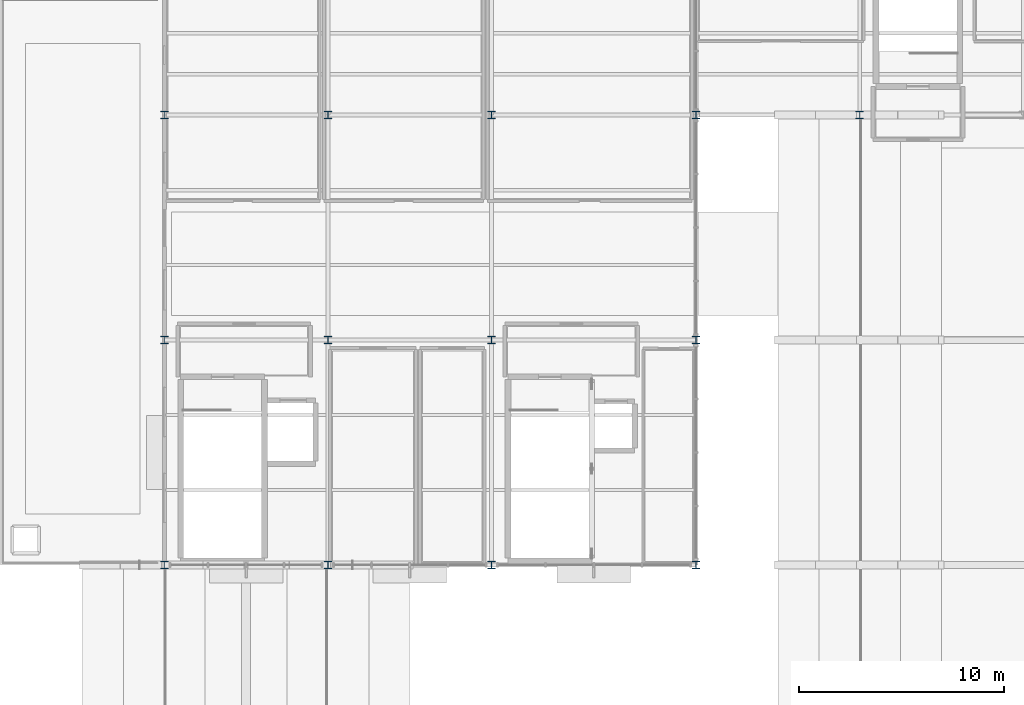
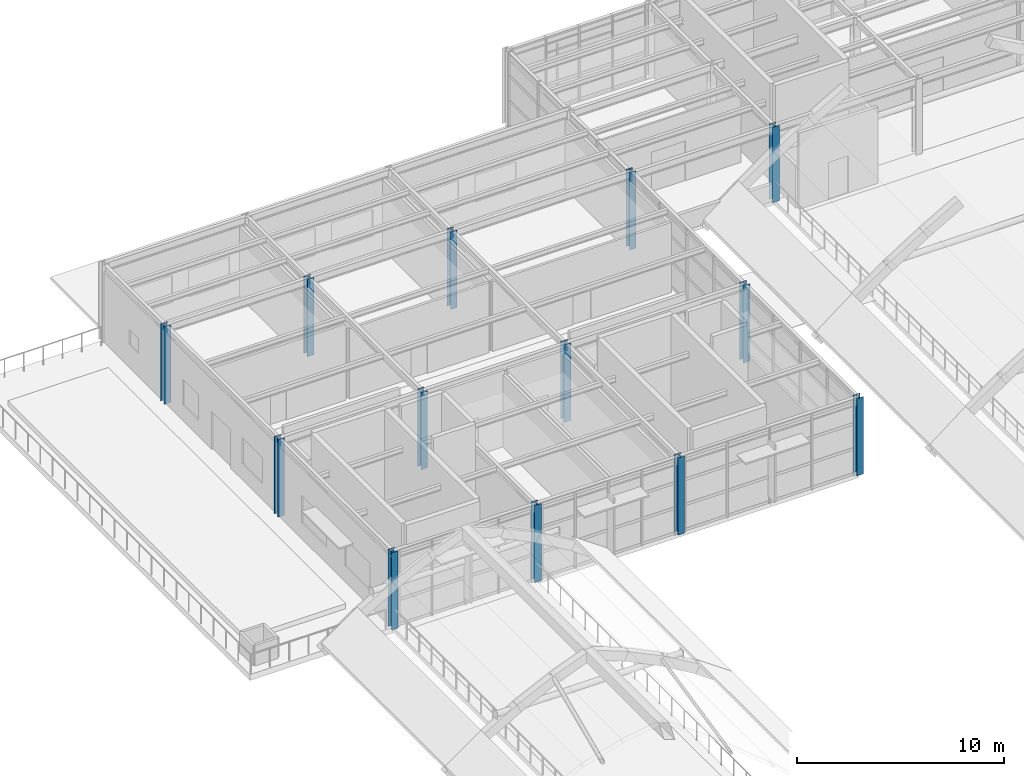
# One storey, part 5 of 82: 13 columns.
"""IFC4 building model written with IfcOpenShell, lengths in metres."""

from ifc_helpers import new_model, si_unit, direction, frame, origin, origin_2d, place, context, subcontext, project, spatial, i_section, extrude, material, material_profile, profile_set, type_object, element, save


model = new_model("IFC4")

# Units and contexts
model_context = context("Model", 3, precision=1e-05, world=origin(), true_north=direction((0.0, 1.0)))
body_context = subcontext(model_context, "Body", "Model", "MODEL_VIEW")
ifc_project = project(units=[si_unit("LENGTHUNIT", "METRE"), si_unit("AREAUNIT", "SQUARE_METRE"), si_unit("VOLUMEUNIT", "CUBIC_METRE"), si_unit("PLANEANGLEUNIT", "RADIAN"), si_unit("MASSUNIT", "GRAM", prefix="KILO")], contexts=[model_context])

# Site, building, storey
site_placement = place(None, origin())
site = spatial("IfcSite", under=ifc_project, at=site_placement, CompositionType="ELEMENT")
building_placement = place(site_placement, origin())
building = spatial("IfcBuilding", under=site, at=building_placement, Name="Sitalva Quay Ferry Terminal", CompositionType="ELEMENT")
storey_placement = place(building_placement, frame((0.0, 0.0, 5.39990234375)))
storey = spatial("IfcBuildingStorey", under=building, at=storey_placement, Name="L02", CompositionType="ELEMENT", Elevation=5.39990234375)

# Columns
ifc_material = material(Name="Structural Steel S355JR", Category="steel")
ifc_material_profile = material_profile(ifc_material, i_section(OverallWidth=0.368896484375, OverallDepth=0.35595703125, WebThickness=0.01123046875, FlangeThickness=0.01806640625, FilletRadius=0.014892578125, at=origin_2d()), Name="W360x134")
ifc_profile_set = profile_set([ifc_material_profile], Name="Structural Steel S355JR")
column_type = type_object("IfcColumnType", Name="Col_W360x134", PredefinedType="COLUMN", material=ifc_profile_set)
for number, where, z_axis, x_axis, name in (
    (1, (16.0, 78.0, 0.0), (0.0, 0.0, 1.0), (1.0, 0.0, 0.0), "L02 column 3J"),
    (2, (24.0, 78.0, 0.0), (0.0, 0.0, 1.0), (1.0, 0.0, 0.0), "L02 column 4J"),
    (3, (32.0, 78.0, 0.0), (0.0, 0.0, 1.0), (1.0, 0.0, 0.0), "L02 column 5J"),
    (4, (42.0, 78.0, 0.0), (0.0, 0.0, 1.0), (1.0, 0.0, 0.0), "L02 column 6J"),
    (5, (16.0, 89.0, 0.0), (0.0, 0.0, 1.0), (1.0, 0.0, 0.0), "L02 column 3K"),
    (6, (24.0, 89.0, 0.0), (0.0, 0.0, 1.0), (1.0, 0.0, 0.0), "L02 column 4K"),
    (7, (32.0, 89.0, 0.0), (0.0, 0.0, 1.0), (1.0, 0.0, 0.0), "L02 column 5K"),
    (8, (42.0, 89.0, 0.0), (0.0, 0.0, 1.0), (1.0, 0.0, 0.0), "L02 column 6K"),
    (9, (16.0, 100.0, 0.0), (0.0, 0.0, 1.0), (1.0, 0.0, 0.0), "L02 column 3L"),
    (10, (24.0, 100.0, 0.0), (0.0, 0.0, 1.0), (1.0, 0.0, 0.0), "L02 column 4L"),
    (11, (32.0, 100.0, 0.0), (0.0, 0.0, 1.0), (1.0, 0.0, 0.0), "L02 column 5L"),
    (12, (42.0, 100.0, 0.0), (0.0, 0.0, 1.0), (1.0, 0.0, 0.0), "L02 column 6L"),
):
    element("IfcColumn", number, at=place(storey_placement, frame(where, z_axis=z_axis, x_axis=x_axis)), inside=storey, type_object=column_type, Name=name, PredefinedType="COLUMN", context=body_context, shape_type="SweptSolid", body=[
        extrude(i_section(OverallWidth=0.368896484375, OverallDepth=0.35595703125, WebThickness=0.01123046875, FlangeThickness=0.01806640625, FilletRadius=0.014892578125, at=origin_2d()), origin(), (0.0, 0.0, 1.0), 4.56005859375),
    ])
column_placement = place(storey_placement, frame((50.0, 100.0, 0.0), z_axis=(0.0, 0.0, 1.0), x_axis=(1.0, 0.0, 0.0)))
element("IfcColumn", 13, at=column_placement, inside=storey, type_object=column_type, Name="L02 column 7L", PredefinedType="COLUMN", context=body_context, shape_type="SweptSolid", body=[
    extrude(i_section(OverallWidth=0.368896484375, OverallDepth=0.35595703125, WebThickness=0.01123046875, FlangeThickness=0.01806640625, FilletRadius=0.014892578125, at=origin_2d()), origin(), (0.0, 0.0, 1.0), 4.4501953125),
])

save(model, "model.ifc")
